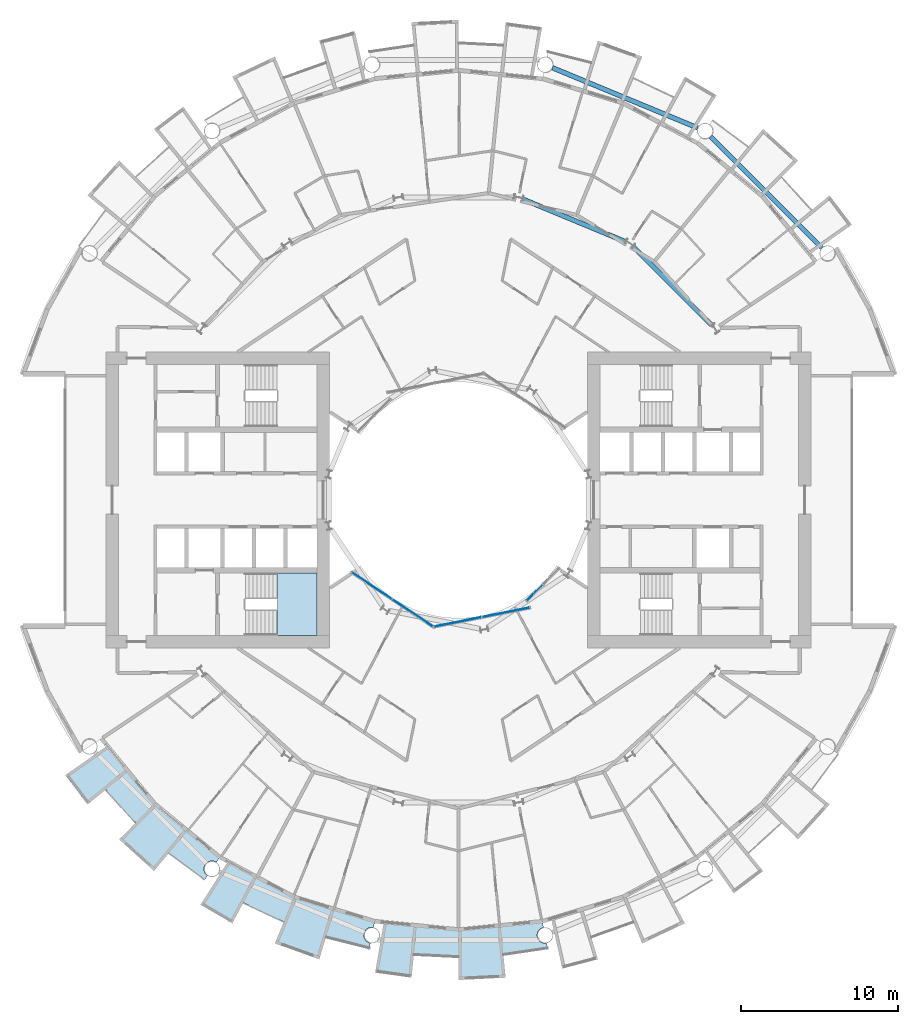
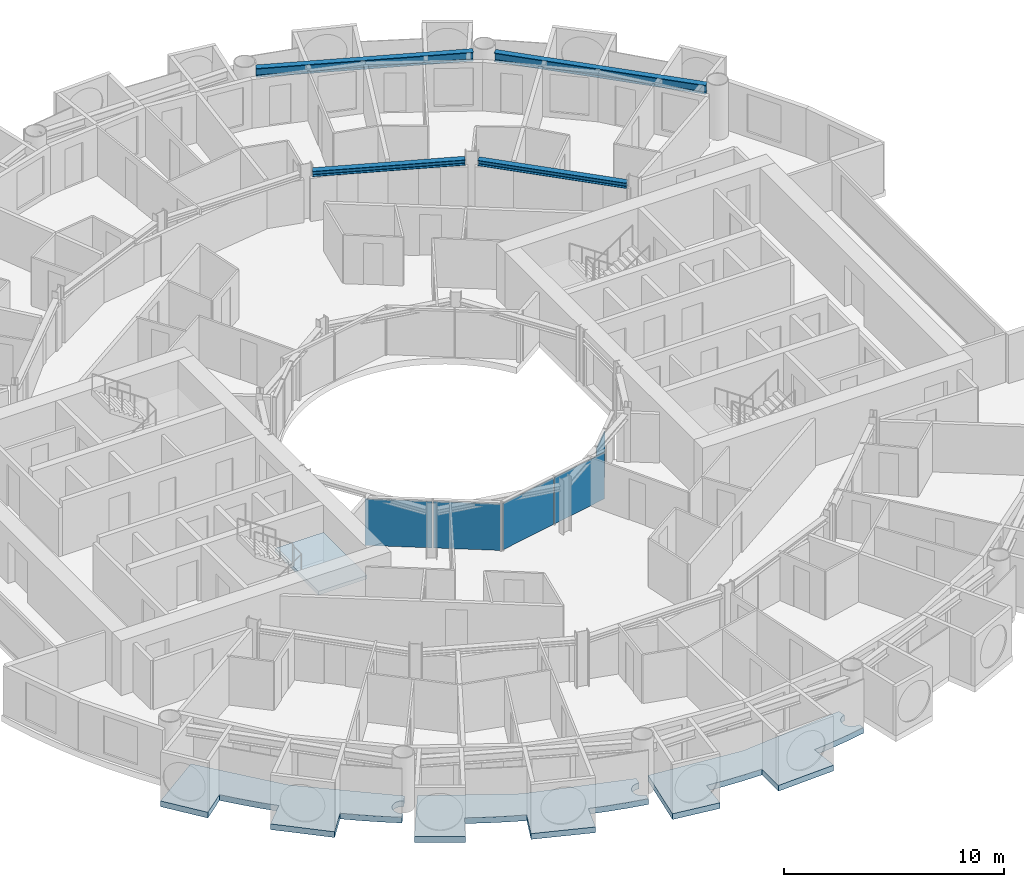
# One storey, part 9 of 26: 5 plates, 4 beams, 4 slabs, 4 elements without a shape of their own.
"""IFC4 building model written with IfcOpenShell, lengths in metres."""

from ifc_helpers import new_model, si_unit, direction, frame, origin, origin_2d, place, context, subcontext, project, spatial, polyline, rectangle, i_section, outline, extrude, material, layer, layer_set, material_profile, profile_set, type_object, element, aggregate, save


model = new_model("IFC4")

# Units and contexts
model_context = context("Model", 3, precision=1e-05, world=origin(), true_north=direction((0.0, 1.0)))
body_context = subcontext(model_context, "Body", "Model", "MODEL_VIEW")
ifc_project = project(units=[si_unit("LENGTHUNIT", "METRE"), si_unit("AREAUNIT", "SQUARE_METRE"), si_unit("VOLUMEUNIT", "CUBIC_METRE"), si_unit("PLANEANGLEUNIT", "RADIAN"), si_unit("MASSUNIT", "GRAM", prefix="KILO")], contexts=[model_context])

# Site, building, storey
site_placement = place(None, origin())
site = spatial("IfcSite", under=ifc_project, at=site_placement, CompositionType="ELEMENT")
building_placement = place(site_placement, origin())
building = spatial("IfcBuilding", under=site, at=building_placement, Name="Maasbend Ring Residences", CompositionType="ELEMENT")
storey_placement = place(building_placement, frame((0.0, 0.0, 28.89990234375)))
storey = spatial("IfcBuildingStorey", under=building, at=storey_placement, Name="L07", CompositionType="ELEMENT", Elevation=28.89990234375)

# Beams
ifc_material_1 = material(Name="Steel S355J2", Category="steel")
ifc_material_profile_1 = material_profile(ifc_material_1, i_section(OverallWidth=0.300048828125, OverallDepth=0.300048828125, WebThickness=0.010986328125, FlangeThickness=0.01904296875, FilletRadius=0.027099609375, at=origin_2d()), Name="HEB 300")
ifc_profile_set_1 = profile_set([ifc_material_profile_1], Name="Steel S355J2")
beam_type_1 = type_object("IfcBeamType", Name="Corridor ring beam HEB 300", PredefinedType="BEAM", material=ifc_profile_set_1)
beam_1_placement = place(storey_placement, frame((16.0732421875, 11.11279296875, 2.550048828125), z_axis=(-0.707106781187, 0.707106781187, 0.0), x_axis=(-0.707106781187, -0.707106781187, 0.0)))
element("IfcBeam", 1, at=beam_1_placement, inside=storey, type_object=beam_type_1, Name="Corridor ring beam", PredefinedType="BEAM", context=body_context, shape_type="SweptSolid", body=[
    extrude(i_section(OverallWidth=0.300048828125, OverallDepth=0.300048828125, WebThickness=0.010986328125, FlangeThickness=0.01904296875, FilletRadius=0.027099609375, at=origin_2d()), origin(), (0.0, 0.0, 1.0), 7.01513671875),
])
beam_2_placement = place(storey_placement, frame((10.59716796875, 16.417724609375, 2.550048828125), z_axis=(-0.923886196809, 0.38266734293, 0.0), x_axis=(-0.38266734293, -0.923886196809, 0.0)))
element("IfcBeam", 2, at=beam_2_placement, inside=storey, type_object=beam_type_1, Name="Corridor ring beam", PredefinedType="BEAM", context=body_context, shape_type="SweptSolid", body=[
    extrude(i_section(OverallWidth=0.300048828125, OverallDepth=0.300048828125, WebThickness=0.010986328125, FlangeThickness=0.01904296875, FilletRadius=0.027099609375, at=origin_2d()), origin(), (0.0, 0.0, 1.0), 7.015380859375),
])
ifc_material_2 = material(Name="Steel S355J2", Category="steel")
ifc_material_profile_2 = material_profile(ifc_material_2, i_section(OverallWidth=0.300048828125, OverallDepth=0.5, WebThickness=0.014404296875, FlangeThickness=0.028076171875, FilletRadius=0.027099609375, at=origin_2d()), Name="HEB 500")
ifc_profile_set_2 = profile_set([ifc_material_profile_2], Name="Steel S355J2")
beam_type_2 = type_object("IfcBeamType", Name="Spandrel ring beam HEB 500", PredefinedType="SPANDREL", material=ifc_profile_set_2)
beam_3_placement = place(storey_placement, frame((23.088134765625, 16.0263671875, 2.4501953125), z_axis=(-0.707106781187, 0.707106781187, 0.0), x_axis=(-0.707106781187, -0.707106781187, 0.0)))
element("IfcBeam", 3, at=beam_3_placement, inside=storey, type_object=beam_type_2, Name="Spandrel ring beam", PredefinedType="SPANDREL", context=body_context, shape_type="SweptSolid", body=[
    extrude(i_section(OverallWidth=0.300048828125, OverallDepth=0.5, WebThickness=0.014404296875, FlangeThickness=0.028076171875, FilletRadius=0.027099609375, at=origin_2d()), origin(), (0.0, 0.0, 1.0), 9.98681640625),
])
beam_4_placement = place(storey_placement, frame((15.19775390625, 23.641845703125, 2.4501953125), z_axis=(-0.923886337442, 0.382667003395, 0.0), x_axis=(-0.382667003395, -0.923886337442, 0.0)))
element("IfcBeam", 4, at=beam_4_placement, inside=storey, type_object=beam_type_2, Name="Spandrel ring beam", PredefinedType="SPANDREL", context=body_context, shape_type="SweptSolid", body=[
    extrude(i_section(OverallWidth=0.300048828125, OverallDepth=0.5, WebThickness=0.014404296875, FlangeThickness=0.028076171875, FilletRadius=0.027099609375, at=origin_2d()), origin(), (0.0, 0.0, 1.0), 9.9873046875),
])

# Stair, slab
ifc_material_3 = material(Name="Concrete C40/50", Category="concrete")
stair_type = type_object("IfcStairType", Name="CORE STAIR 18 RISERS", PredefinedType="HALF_TURN_STAIR", material=ifc_material_3)
stair_placement = place(storey_placement, origin())
stair = element("IfcStair", 5, at=stair_placement, inside=storey, type_object=stair_type, Name="L07 Exit stair ST-W1", PredefinedType="HALF_TURN_STAIR")
ifc_material_4 = material(Name="Concrete C40/50", Category="concrete")
ifc_layer_1 = layer(ifc_material_4, 0.199951171875)
ifc_layer_set_1 = layer_set([ifc_layer_1], Name="Concrete C40/50")
slab_type_1 = type_object("IfcSlabType", Name="CORE STAIR LANDING 200", PredefinedType="LANDING", material=ifc_layer_set_1)
slab_1_placement = place(storey_placement, frame((0.0, 0.0, 1.3251953125)))
slab_1 = element("IfcSlab", 6, at=slab_1_placement, type_object=slab_type_1, Name="ST-W1 landing 1", PredefinedType="LANDING", context=body_context, shape_type="SweptSolid", body=[
    extrude(outline(polyline([(-11.550048828125, -8.60009765625), (-9.0, -8.60009765625), (-9.0, -4.64990234375), (-11.550048828125, -4.64990234375), (-11.550048828125, -8.60009765625)])), origin(), (0.0, 0.0, 1.0), 0.199951171875),
])
aggregate(stair, [slab_1])

# Curtain wall, plates
ifc_material_5 = material(Name="Aluminium and clear glass", Category="aluminium")
ifc_layer_2 = layer(ifc_material_5, 0.179931640625)
ifc_layer_set_2 = layer_set([ifc_layer_2], Name="CW-W")
curtain_wall_type = type_object("IfcCurtainWallType", Name="CW-W", PredefinedType="NOTDEFINED", material=ifc_layer_set_2)
curtain_wall_1_placement = place(storey_placement, origin())
curtain_wall_1 = element("IfcCurtainWall", 7, at=curtain_wall_1_placement, inside=storey, type_object=curtain_wall_type, Name="Well curtain wall S1", PredefinedType="NOTDEFINED")
ifc_material_6 = material(Name="Glass clear laminated", Category="glass")
ifc_layer_3 = layer(ifc_material_6, 0.031982421875)
ifc_layer_set_3 = layer_set([ifc_layer_3], Name="CWP-W")
plate_type = type_object("IfcPlateType", Name="CWP-W", PredefinedType="CURTAIN_PANEL", material=ifc_layer_set_3)
plate_1_placement = place(storey_placement, frame((-5.51123046875, -5.44580078125, 0.0), z_axis=(0.0, 0.0, 1.0), x_axis=(0.831469612303, -0.55557023302, 0.0)))
plate_1 = element("IfcPlate", 8, at=plate_1_placement, type_object=plate_type, Name="Glass panel well face", PredefinedType="CURTAIN_PANEL", context=body_context, shape_type="SweptSolid", body=[
    extrude(rectangle(XDim=3.053955078125, YDim=0.031982421875, at=origin_2d()), origin(), (0.0, 0.0, 1.0), 2.580078125),
])
plate_2_placement = place(storey_placement, frame((-2.922119140625, -7.17578125, 0.0), z_axis=(0.0, 0.0, 1.0), x_axis=(0.831469612303, -0.55557023302, 0.0)))
plate_2 = element("IfcPlate", 9, at=plate_2_placement, type_object=plate_type, Name="Glass panel well face", PredefinedType="CURTAIN_PANEL", context=body_context, shape_type="SweptSolid", body=[
    extrude(rectangle(XDim=3.053955078125, YDim=0.031982421875, at=origin_2d()), origin(), (0.0, 0.0, 1.0), 2.580078125),
])
aggregate(curtain_wall_1, [plate_1, plate_2])

curtain_wall_2_placement = place(storey_placement, origin())
curtain_wall_2 = element("IfcCurtainWall", 10, at=curtain_wall_2_placement, inside=storey, type_object=curtain_wall_type, Name="Well curtain wall S2", PredefinedType="NOTDEFINED")
plate_3_placement = place(storey_placement, frame((-0.04638671875, -7.747802734375, 0.0), z_axis=(0.0, 0.0, 1.0), x_axis=(0.980785280403, 0.195090322016, 0.0)))
plate_3 = element("IfcPlate", 11, at=plate_3_placement, type_object=plate_type, Name="Glass panel well face", PredefinedType="CURTAIN_PANEL", context=body_context, shape_type="SweptSolid", body=[
    extrude(rectangle(XDim=3.053955078125, YDim=0.031982421875, at=origin_2d()), origin(), (0.0, 0.0, 1.0), 2.580078125),
])
plate_4_placement = place(storey_placement, frame((3.0078125, -7.140380859375, 0.0), z_axis=(0.0, 0.0, 1.0), x_axis=(0.980785280403, 0.195090322016, 0.0)))
plate_4 = element("IfcPlate", 12, at=plate_4_placement, type_object=plate_type, Name="Glass panel well face", PredefinedType="CURTAIN_PANEL", context=body_context, shape_type="SweptSolid", body=[
    extrude(rectangle(XDim=3.053955078125, YDim=0.031982421875, at=origin_2d()), origin(), (0.0, 0.0, 1.0), 2.580078125),
])
aggregate(curtain_wall_2, [plate_3, plate_4])

# Curtain wall, plate
curtain_wall_3_placement = place(storey_placement, origin())
curtain_wall_3 = element("IfcCurtainWall", 13, at=curtain_wall_3_placement, inside=storey, type_object=curtain_wall_type, Name="Well curtain wall S3", PredefinedType="NOTDEFINED")
plate_5_placement = place(storey_placement, frame((4.84375, -5.89013671875, 0.0), z_axis=(0.0, 0.0, 1.0), x_axis=(0.707106781187, 0.707106781187, 0.0)))
plate_5 = element("IfcPlate", 14, at=plate_5_placement, type_object=plate_type, Name="Glass panel well face", PredefinedType="CURTAIN_PANEL", context=body_context, shape_type="SweptSolid", body=[
    extrude(rectangle(XDim=1.419677734375, YDim=0.031982421875, at=origin_2d()), origin(), (0.0, 0.0, 1.0), 2.580078125),
])
aggregate(curtain_wall_3, [plate_5])

# Slabs
ifc_material_7 = material(Name="Concrete C40/50", Category="concrete")
ifc_layer_4 = layer(ifc_material_7, 0.199951171875)
ifc_layer_set_4 = layer_set([ifc_layer_4], Name="Concrete C40/50")
slab_type_2 = type_object("IfcSlabType", Name="SL-LOGGIA", PredefinedType="FLOOR", material=ifc_layer_set_4)
slab_2_placement = place(storey_placement, frame((0.0, 0.0, -0.349853515625)))
element("IfcSlab", 15, at=slab_2_placement, inside=storey, type_object=slab_type_2, Name="Loggia floor 2", PredefinedType="FLOOR", context=body_context, shape_type="SweptSolid", body=[
    extrude(outline(polyline([(-12.806884765625, -23.9609375), (-10.447021484375, -25.221923828125), (-10.447021484375, -25.221923828125), (-10.447021484375, -25.221923828125), (-7.886962890625, -25.9990234375), (-5.325927734375, -26.77490234375), (-5.325927734375, -26.77490234375), (-5.325927734375, -26.77490234375), (-5.402099609375, -27.159912109375), (-5.4150390625, -27.157958984375), (-5.427001953125, -27.156005859375), (-5.43896484375, -27.154052734375), (-5.451904296875, -27.153076171875), (-5.464111328125, -27.15087890625), (-5.47705078125, -27.15087890625), (-5.489013671875, -27.14990234375), (-5.501953125, -27.14990234375), (-5.513916015625, -27.14990234375), (-5.52587890625, -27.15087890625), (-5.5390625, -27.15087890625), (-5.551025390625, -27.153076171875), (-5.56396484375, -27.154052734375), (-5.575927734375, -27.156005859375), (-5.587890625, -27.157958984375), (-5.60107421875, -27.159912109375), (-5.613037109375, -27.162109375), (-5.625, -27.1650390625), (-5.636962890625, -27.1689453125), (-5.64892578125, -27.172119140625), (-5.660888671875, -27.176025390625), (-5.673095703125, -27.179931640625), (-5.68408203125, -27.18408203125), (-5.696044921875, -27.18896484375), (-5.70703125, -27.194091796875), (-5.718994140625, -27.198974609375), (-5.72998046875, -27.2041015625), (-5.740966796875, -27.2099609375), (-5.751953125, -27.216064453125), (-5.762939453125, -27.221923828125), (-5.77294921875, -27.22900390625), (-5.783935546875, -27.236083984375), (-5.7939453125, -27.242919921875), (-5.803955078125, -27.25), (-5.81396484375, -27.258056640625), (-5.823974609375, -27.264892578125), (-5.8330078125, -27.27294921875), (-5.843017578125, -27.281982421875), (-5.85205078125, -27.2900390625), (-5.861083984375, -27.299072265625), (-5.868896484375, -27.30810546875), (-5.8779296875, -27.31689453125), (-5.885986328125, -27.325927734375), (-5.89404296875, -27.3359375), (-5.902099609375, -27.345947265625), (-5.909912109375, -27.35498046875), (-5.9169921875, -27.365966796875), (-5.924072265625, -27.3759765625), (-5.930908203125, -27.385986328125), (-5.93701171875, -27.39697265625), (-5.944091796875, -27.407958984375), (-5.949951171875, -27.4189453125), (-5.955078125, -27.429931640625), (-5.9609375, -27.44091796875), (-5.966064453125, -27.451904296875), (-5.970947265625, -27.464111328125), (-5.97509765625, -27.47509765625), (-5.97998046875, -27.487060546875), (-5.98388671875, -27.4990234375), (-5.988037109375, -27.510986328125), (-5.990966796875, -27.52294921875), (-5.993896484375, -27.534912109375), (-5.9970703125, -27.547119140625), (-6.0, -27.55908203125), (-6.001953125, -27.571044921875), (-6.00390625, -27.583984375), (-6.006103515625, -27.595947265625), (-6.007080078125, -27.60791015625), (-6.008056640625, -27.62109375), (-6.009033203125, -27.633056640625), (-6.009033203125, -27.64599609375), (-6.010009765625, -27.657958984375), (-6.009033203125, -27.6708984375), (-6.009033203125, -27.68310546875), (-6.008056640625, -27.695068359375), (-6.007080078125, -27.7080078125), (-6.006103515625, -27.719970703125), (-6.00390625, -27.73291015625), (-6.001953125, -27.7451171875), (-6.0, -27.757080078125), (-5.9970703125, -27.76904296875), (-5.993896484375, -27.781982421875), (-5.990966796875, -27.7939453125), (-5.988037109375, -27.805908203125), (-5.98388671875, -27.81689453125), (-5.97998046875, -27.8291015625), (-5.97509765625, -27.841064453125), (-5.970947265625, -27.85302734375), (-5.966064453125, -27.864013671875), (-5.9609375, -27.875), (-5.955078125, -27.886962890625), (-5.949951171875, -27.89794921875), (-5.944091796875, -27.907958984375), (-5.93701171875, -27.9189453125), (-5.930908203125, -27.929931640625), (-5.924072265625, -27.93994140625), (-5.9169921875, -27.950927734375), (-5.909912109375, -27.9609375), (-5.902099609375, -27.970947265625), (-5.89404296875, -27.97998046875), (-5.885986328125, -27.989990234375), (-5.8779296875, -27.9990234375), (-5.868896484375, -28.008056640625), (-5.861083984375, -28.01708984375), (-5.85205078125, -28.02587890625), (-5.843017578125, -28.034912109375), (-5.8330078125, -28.04296875), (-5.823974609375, -28.051025390625), (-5.81396484375, -28.05908203125), (-5.803955078125, -28.06591796875), (-5.7939453125, -28.072998046875), (-5.783935546875, -28.080078125), (-5.77294921875, -28.0869140625), (-5.762939453125, -28.093994140625), (-5.751953125, -28.10009765625), (-5.740966796875, -28.10595703125), (-5.72998046875, -28.112060546875), (-5.718994140625, -28.116943359375), (-5.70703125, -28.123046875), (-5.696044921875, -28.126953125), (-5.68408203125, -28.132080078125), (-5.673095703125, -28.135986328125), (-5.660888671875, -28.139892578125), (-5.64892578125, -28.14404296875), (-5.636962890625, -28.14794921875), (-5.625, -28.15087890625), (-5.613037109375, -28.154052734375), (-5.60107421875, -28.156005859375), (-5.657958984375, -28.443115234375), (-5.657958984375, -28.443115234375), (-5.657958984375, -28.443115234375), (-6.5849609375, -28.241943359375), (-6.5849609375, -28.241943359375), (-7.506103515625, -28.011962890625), (-7.506103515625, -28.011962890625), (-8.41796875, -27.7509765625), (-8.41796875, -27.7509765625), (-8.41796875, -27.7509765625), (-8.41796875, -27.7509765625), (-8.41796875, -27.7509765625), (-8.41796875, -27.7509765625), (-8.41796875, -27.7509765625), (-8.41796875, -27.7509765625), (-8.41796875, -27.7509765625), (-8.41796875, -27.7509765625), (-8.41796875, -27.751953125), (-8.41796875, -27.751953125), (-8.41796875, -27.751953125), (-8.41796875, -27.751953125), (-8.41796875, -27.751953125), (-8.41796875, -27.751953125), (-8.41796875, -27.751953125), (-8.85400390625, -29.18701171875), (-8.85400390625, -29.18701171875), (-8.85400390625, -29.18701171875), (-11.672119140625, -28.177978515625), (-11.672119140625, -28.177978515625), (-11.672119140625, -28.177978515625), (-11.097900390625, -26.79296875), (-11.097900390625, -26.79296875), (-11.097900390625, -26.79296875), (-11.097900390625, -26.79296875), (-11.097900390625, -26.79296875), (-11.097900390625, -26.79296875), (-11.097900390625, -26.79296875), (-11.097900390625, -26.79296875), (-11.097900390625, -26.79296875), (-11.097900390625, -26.79296875), (-11.097900390625, -26.7919921875), (-11.097900390625, -26.7919921875), (-11.097900390625, -26.7919921875), (-11.097900390625, -26.7919921875), (-11.097900390625, -26.7919921875), (-11.097900390625, -26.7919921875), (-11.097900390625, -26.7919921875), (-11.968994140625, -26.4150390625), (-11.968994140625, -26.4150390625), (-12.825927734375, -26.009033203125), (-12.825927734375, -26.009033203125), (-13.669921875, -25.575927734375), (-13.669921875, -25.575927734375), (-13.669921875, -25.575927734375), (-13.669921875, -25.575927734375), (-13.669921875, -25.575927734375), (-13.669921875, -25.575927734375), (-13.669921875, -25.575927734375), (-13.669921875, -25.575927734375), (-13.669921875, -25.575927734375), (-13.669921875, -25.575927734375), (-13.6708984375, -25.575927734375), (-13.6708984375, -25.575927734375), (-13.6708984375, -25.575927734375), (-13.6708984375, -25.575927734375), (-13.6708984375, -25.575927734375), (-13.6708984375, -25.575927734375), (-13.6708984375, -25.575927734375), (-14.3779296875, -26.89892578125), (-14.3779296875, -26.89892578125), (-14.3779296875, -26.89892578125), (-16.39404296875, -25.718994140625), (-16.39404296875, -25.718994140625), (-16.39404296875, -25.718994140625), (-14.64599609375, -22.97705078125), (-14.64599609375, -22.97705078125), (-14.64599609375, -22.97705078125), (-12.806884765625, -23.9609375)])), origin(), (0.0, 0.0, 1.0), 0.320068359375),
])
slab_3_placement = place(storey_placement, frame((0.0, 0.0, -0.349853515625)))
element("IfcSlab", 16, at=slab_3_placement, inside=storey, type_object=slab_type_2, Name="Loggia floor 3", PredefinedType="FLOOR", context=body_context, shape_type="SweptSolid", body=[
    extrude(outline(polyline([(-2.6630859375, -27.0380859375), (0.0, -27.300048828125), (0.0, -27.300048828125), (0.0, -27.300048828125), (2.6630859375, -27.0380859375), (5.325927734375, -26.77490234375), (5.325927734375, -26.77490234375), (5.325927734375, -26.77490234375), (5.402099609375, -27.159912109375), (5.402099609375, -27.159912109375), (5.389892578125, -27.162109375), (5.3779296875, -27.1650390625), (5.365966796875, -27.1689453125), (5.35400390625, -27.172119140625), (5.342041015625, -27.176025390625), (5.330078125, -27.179931640625), (5.319091796875, -27.18408203125), (5.306884765625, -27.18896484375), (5.2958984375, -27.194091796875), (5.283935546875, -27.198974609375), (5.27294921875, -27.2041015625), (5.261962890625, -27.2099609375), (5.2509765625, -27.216064453125), (5.239990234375, -27.221923828125), (5.22998046875, -27.22900390625), (5.218994140625, -27.236083984375), (5.208984375, -27.242919921875), (5.198974609375, -27.25), (5.18896484375, -27.258056640625), (5.178955078125, -27.264892578125), (5.169921875, -27.27294921875), (5.159912109375, -27.281982421875), (5.15087890625, -27.2900390625), (5.14208984375, -27.299072265625), (5.134033203125, -27.30810546875), (5.125, -27.31689453125), (5.116943359375, -27.325927734375), (5.10888671875, -27.3359375), (5.10107421875, -27.345947265625), (5.093017578125, -27.35498046875), (5.0859375, -27.365966796875), (5.0791015625, -27.3759765625), (5.072021484375, -27.385986328125), (5.06591796875, -27.39697265625), (5.05908203125, -27.407958984375), (5.052978515625, -27.4189453125), (5.048095703125, -27.429931640625), (5.0419921875, -27.44091796875), (5.037109375, -27.451904296875), (5.031982421875, -27.464111328125), (5.028076171875, -27.47509765625), (5.02294921875, -27.487060546875), (5.01904296875, -27.4990234375), (5.014892578125, -27.510986328125), (5.011962890625, -27.52294921875), (5.009033203125, -27.534912109375), (5.006103515625, -27.547119140625), (5.0029296875, -27.55908203125), (5.0009765625, -27.571044921875), (4.9990234375, -27.583984375), (4.9970703125, -27.595947265625), (4.99609375, -27.60791015625), (4.9951171875, -27.62109375), (4.993896484375, -27.633056640625), (4.993896484375, -27.64599609375), (4.993896484375, -27.657958984375), (4.993896484375, -27.6708984375), (4.993896484375, -27.68310546875), (4.9951171875, -27.695068359375), (4.99609375, -27.7080078125), (4.9970703125, -27.719970703125), (4.9990234375, -27.73291015625), (5.0009765625, -27.7451171875), (5.0029296875, -27.757080078125), (5.006103515625, -27.76904296875), (5.009033203125, -27.781982421875), (5.011962890625, -27.7939453125), (5.014892578125, -27.805908203125), (5.01904296875, -27.81689453125), (5.02294921875, -27.8291015625), (5.028076171875, -27.841064453125), (5.031982421875, -27.85302734375), (5.037109375, -27.864013671875), (5.0419921875, -27.875), (5.048095703125, -27.886962890625), (5.052978515625, -27.89794921875), (5.05908203125, -27.907958984375), (5.06591796875, -27.9189453125), (5.072021484375, -27.929931640625), (5.0791015625, -27.93994140625), (5.0859375, -27.950927734375), (5.093017578125, -27.9609375), (5.10107421875, -27.970947265625), (5.10888671875, -27.97998046875), (5.116943359375, -27.989990234375), (5.125, -27.9990234375), (5.134033203125, -28.008056640625), (5.14208984375, -28.01708984375), (5.15087890625, -28.02587890625), (5.159912109375, -28.034912109375), (5.169921875, -28.04296875), (5.178955078125, -28.051025390625), (5.18896484375, -28.05908203125), (5.198974609375, -28.06591796875), (5.208984375, -28.072998046875), (5.218994140625, -28.080078125), (5.22998046875, -28.0869140625), (5.239990234375, -28.093994140625), (5.2509765625, -28.10009765625), (5.261962890625, -28.10595703125), (5.27294921875, -28.112060546875), (5.283935546875, -28.116943359375), (5.2958984375, -28.123046875), (5.306884765625, -28.126953125), (5.319091796875, -28.132080078125), (5.330078125, -28.135986328125), (5.342041015625, -28.139892578125), (5.35400390625, -28.14404296875), (5.365966796875, -28.14794921875), (5.3779296875, -28.15087890625), (5.389892578125, -28.154052734375), (5.402099609375, -28.156005859375), (5.4150390625, -28.158935546875), (5.427001953125, -28.160888671875), (5.43896484375, -28.162109375), (5.451904296875, -28.1640625), (5.464111328125, -28.1650390625), (5.47705078125, -28.1650390625), (5.489013671875, -28.166015625), (5.501953125, -28.166015625), (5.513916015625, -28.166015625), (5.52587890625, -28.1650390625), (5.5390625, -28.1650390625), (5.551025390625, -28.1640625), (5.56396484375, -28.162109375), (5.575927734375, -28.160888671875), (5.587890625, -28.158935546875), (5.60107421875, -28.156005859375), (5.60107421875, -28.156005859375), (5.657958984375, -28.443115234375), (5.657958984375, -28.443115234375), (5.657958984375, -28.443115234375), (4.72412109375, -28.613037109375), (4.72412109375, -28.613037109375), (3.784912109375, -28.751953125), (3.784912109375, -28.751953125), (2.843017578125, -28.860107421875), (2.843017578125, -28.860107421875), (2.843017578125, -28.860107421875), (2.843017578125, -28.860107421875), (2.843017578125, -28.860107421875), (2.843017578125, -28.860107421875), (2.843017578125, -28.860107421875), (2.843017578125, -28.860107421875), (2.843017578125, -28.860107421875), (2.843017578125, -28.861083984375), (2.843017578125, -28.861083984375), (2.843017578125, -28.861083984375), (2.843017578125, -28.861083984375), (2.843017578125, -28.861083984375), (2.843017578125, -28.861083984375), (2.843017578125, -28.861083984375), (2.843017578125, -28.861083984375), (2.989990234375, -30.35302734375), (2.989990234375, -30.35302734375), (2.989990234375, -30.35302734375), (0.0, -30.5), (0.0, -30.5), (0.0, -30.5), (0.0, -29.0), (0.0, -29.0), (0.0, -29.0), (0.0, -29.0), (0.0, -29.0), (0.0, -29.0), (0.0, -29.0), (0.0, -29.0), (0.0, -29.0), (0.0, -29.0), (0.0, -29.0), (0.0, -29.0), (0.0, -29.0), (0.0, -29.0), (0.0, -29.0), (0.0, -29.0), (0.0, -29.0), (-0.948974609375, -28.98388671875), (-0.948974609375, -28.98388671875), (-1.89697265625, -28.93798828125), (-1.89697265625, -28.93798828125), (-2.842041015625, -28.860107421875), (-2.842041015625, -28.860107421875), (-2.842041015625, -28.860107421875), (-2.842041015625, -28.860107421875), (-2.842041015625, -28.860107421875), (-2.842041015625, -28.860107421875), (-2.842041015625, -28.860107421875), (-2.842041015625, -28.860107421875), (-2.842041015625, -28.861083984375), (-2.842041015625, -28.861083984375), (-2.842041015625, -28.861083984375), (-2.842041015625, -28.861083984375), (-2.842041015625, -28.861083984375), (-2.843017578125, -28.861083984375), (-2.843017578125, -28.861083984375), (-2.843017578125, -28.861083984375), (-2.843017578125, -28.861083984375), (-2.989990234375, -30.35302734375), (-2.989990234375, -30.35302734375), (-2.989990234375, -30.35302734375), (-5.303955078125, -30.034912109375), (-5.303955078125, -30.034912109375), (-5.303955078125, -30.034912109375), (-4.739013671875, -26.8330078125), (-4.739013671875, -26.8330078125), (-4.739013671875, -26.8330078125), (-2.6630859375, -27.0380859375)])), origin(), (0.0, 0.0, 1.0), 0.320068359375),
])
slab_4_placement = place(storey_placement, frame((0.0, 0.0, -0.349853515625)))
element("IfcSlab", 17, at=slab_4_placement, inside=storey, type_object=slab_type_2, Name="Loggia floor 5", PredefinedType="FLOOR", context=body_context, shape_type="SweptSolid", body=[
    extrude(outline(polyline([(-21.001953125, -17.236083984375), (-19.303955078125, -19.303955078125), (-19.303955078125, -19.303955078125), (-19.303955078125, -19.303955078125), (-17.236083984375, -21.001953125), (-15.1669921875, -22.698974609375), (-15.1669921875, -22.698974609375), (-15.1669921875, -22.698974609375), (-15.385009765625, -23.02490234375), (-15.385009765625, -23.02490234375), (-15.39501953125, -23.01806640625), (-15.406005859375, -23.011962890625), (-15.4169921875, -23.0048828125), (-15.427978515625, -22.9990234375), (-15.43896484375, -22.993896484375), (-15.449951171875, -22.988037109375), (-15.4609375, -22.98291015625), (-15.472900390625, -22.97802734375), (-15.48388671875, -22.972900390625), (-15.49609375, -22.968994140625), (-15.508056640625, -22.965087890625), (-15.52001953125, -22.9609375), (-15.531982421875, -22.9580078125), (-15.5439453125, -22.955078125), (-15.555908203125, -22.951904296875), (-15.568115234375, -22.948974609375), (-15.580078125, -22.947021484375), (-15.593017578125, -22.945068359375), (-15.60498046875, -22.943115234375), (-15.616943359375, -22.94189453125), (-15.6298828125, -22.94091796875), (-15.64208984375, -22.93994140625), (-15.655029296875, -22.93994140625), (-15.6669921875, -22.93896484375), (-15.679931640625, -22.93994140625), (-15.69189453125, -22.93994140625), (-15.7041015625, -22.94091796875), (-15.717041015625, -22.94189453125), (-15.72900390625, -22.943115234375), (-15.741943359375, -22.945068359375), (-15.75390625, -22.947021484375), (-15.76611328125, -22.948974609375), (-15.778076171875, -22.951904296875), (-15.791015625, -22.955078125), (-15.802978515625, -22.9580078125), (-15.81494140625, -22.9609375), (-15.825927734375, -22.965087890625), (-15.837890625, -22.968994140625), (-15.85009765625, -22.972900390625), (-15.862060546875, -22.97802734375), (-15.873046875, -22.98291015625), (-15.884033203125, -22.988037109375), (-15.89599609375, -22.993896484375), (-15.906982421875, -22.9990234375), (-15.9169921875, -23.0048828125), (-15.927978515625, -23.011962890625), (-15.93896484375, -23.01806640625), (-15.948974609375, -23.02490234375), (-15.9599609375, -23.031982421875), (-15.969970703125, -23.0390625), (-15.97998046875, -23.047119140625), (-15.989013671875, -23.054931640625), (-15.9990234375, -23.06298828125), (-16.008056640625, -23.071044921875), (-16.01708984375, -23.0791015625), (-16.02587890625, -23.087890625), (-16.034912109375, -23.096923828125), (-16.0439453125, -23.10595703125), (-16.052001953125, -23.115966796875), (-16.06005859375, -23.125), (-16.068115234375, -23.135009765625), (-16.074951171875, -23.14501953125), (-16.08203125, -23.155029296875), (-16.089111328125, -23.1650390625), (-16.095947265625, -23.176025390625), (-16.10302734375, -23.18603515625), (-16.10888671875, -23.197021484375), (-16.114990234375, -23.2080078125), (-16.12109375, -23.218994140625), (-16.1259765625, -23.22998046875), (-16.132080078125, -23.241943359375), (-16.135986328125, -23.2529296875), (-16.14111328125, -23.264892578125), (-16.14501953125, -23.27587890625), (-16.14892578125, -23.2880859375), (-16.153076171875, -23.300048828125), (-16.156982421875, -23.31201171875), (-16.159912109375, -23.323974609375), (-16.1630859375, -23.3359375), (-16.1650390625, -23.347900390625), (-16.16796875, -23.361083984375), (-16.169921875, -23.373046875), (-16.1708984375, -23.385009765625), (-16.173095703125, -23.39794921875), (-16.174072265625, -23.409912109375), (-16.174072265625, -23.422119140625), (-16.175048828125, -23.43505859375), (-16.175048828125, -23.447021484375), (-16.175048828125, -23.4599609375), (-16.174072265625, -23.471923828125), (-16.174072265625, -23.485107421875), (-16.173095703125, -23.4970703125), (-16.1708984375, -23.510009765625), (-16.169921875, -23.52197265625), (-16.16796875, -23.533935546875), (-16.1650390625, -23.547119140625), (-16.1630859375, -23.55908203125), (-16.159912109375, -23.571044921875), (-16.156982421875, -23.5830078125), (-16.153076171875, -23.594970703125), (-16.14892578125, -23.60693359375), (-16.14501953125, -23.618896484375), (-16.14111328125, -23.6298828125), (-16.135986328125, -23.64208984375), (-16.132080078125, -23.653076171875), (-16.1259765625, -23.6650390625), (-16.12109375, -23.676025390625), (-16.114990234375, -23.68701171875), (-16.10888671875, -23.697998046875), (-16.10302734375, -23.708984375), (-16.095947265625, -23.718994140625), (-16.089111328125, -23.72998046875), (-16.08203125, -23.739990234375), (-16.074951171875, -23.75), (-16.068115234375, -23.760009765625), (-16.06005859375, -23.77001953125), (-16.052001953125, -23.779052734375), (-16.0439453125, -23.7890625), (-16.034912109375, -23.798095703125), (-16.02587890625, -23.806884765625), (-16.01708984375, -23.81494140625), (-16.008056640625, -23.823974609375), (-15.9990234375, -23.83203125), (-15.989013671875, -23.840087890625), (-15.97998046875, -23.847900390625), (-15.969970703125, -23.85498046875), (-15.9599609375, -23.863037109375), (-15.948974609375, -23.8701171875), (-15.948974609375, -23.8701171875), (-16.112060546875, -24.113037109375), (-16.112060546875, -24.113037109375), (-16.112060546875, -24.113037109375), (-16.89208984375, -23.572998046875), (-16.89208984375, -23.572998046875), (-17.654052734375, -23.007080078125), (-17.654052734375, -23.007080078125), (-18.39697265625, -22.41796875), (-18.39697265625, -22.41796875), (-18.39697265625, -22.41796875), (-18.39697265625, -22.41796875), (-18.39697265625, -22.41796875), (-18.39697265625, -22.41796875), (-18.39697265625, -22.41796875), (-18.39697265625, -22.41796875), (-18.39697265625, -22.41796875), (-18.39697265625, -22.41796875), (-18.39697265625, -22.41796875), (-18.39794921875, -22.41796875), (-18.39794921875, -22.41796875), (-18.39794921875, -22.41796875), (-18.39794921875, -22.41796875), (-18.39794921875, -22.41796875), (-18.39794921875, -22.41796875), (-19.34912109375, -23.576904296875), (-19.34912109375, -23.576904296875), (-19.34912109375, -23.576904296875), (-21.56689453125, -21.56689453125), (-21.56689453125, -21.56689453125), (-21.56689453125, -21.56689453125), (-20.506103515625, -20.506103515625), (-20.506103515625, -20.506103515625), (-20.506103515625, -20.506103515625), (-20.506103515625, -20.506103515625), (-20.506103515625, -20.506103515625), (-20.506103515625, -20.506103515625), (-20.506103515625, -20.506103515625), (-20.506103515625, -20.506103515625), (-20.506103515625, -20.506103515625), (-20.506103515625, -20.506103515625), (-20.506103515625, -20.506103515625), (-20.506103515625, -20.506103515625), (-20.506103515625, -20.506103515625), (-20.506103515625, -20.506103515625), (-20.506103515625, -20.506103515625), (-20.506103515625, -20.506103515625), (-20.506103515625, -20.506103515625), (-21.166015625, -19.823974609375), (-21.166015625, -19.823974609375), (-21.802978515625, -19.12109375), (-21.802978515625, -19.12109375), (-22.4169921875, -18.39794921875), (-22.4169921875, -18.39794921875), (-22.4169921875, -18.39794921875), (-22.4169921875, -18.39794921875), (-22.4169921875, -18.39794921875), (-22.4169921875, -18.39794921875), (-22.4169921875, -18.39794921875), (-22.4169921875, -18.39794921875), (-22.4169921875, -18.39794921875), (-22.4169921875, -18.39794921875), (-22.4169921875, -18.39794921875), (-22.4169921875, -18.39794921875), (-22.41796875, -18.39794921875), (-22.41796875, -18.39794921875), (-22.41796875, -18.39794921875), (-22.41796875, -18.39794921875), (-22.41796875, -18.39794921875), (-23.576904296875, -19.34912109375), (-23.576904296875, -19.34912109375), (-23.576904296875, -19.34912109375), (-24.989013671875, -17.488037109375), (-24.989013671875, -17.488037109375), (-24.989013671875, -17.488037109375), (-22.324951171875, -15.623046875), (-22.324951171875, -15.623046875), (-22.324951171875, -15.623046875), (-21.001953125, -17.236083984375)])), origin(), (0.0, 0.0, 1.0), 0.320068359375),
])

save(model, "model.ifc")
